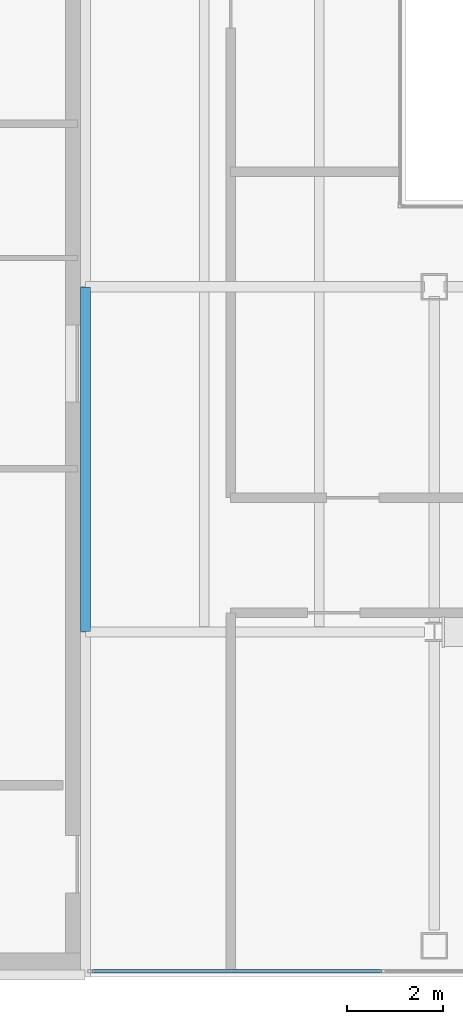
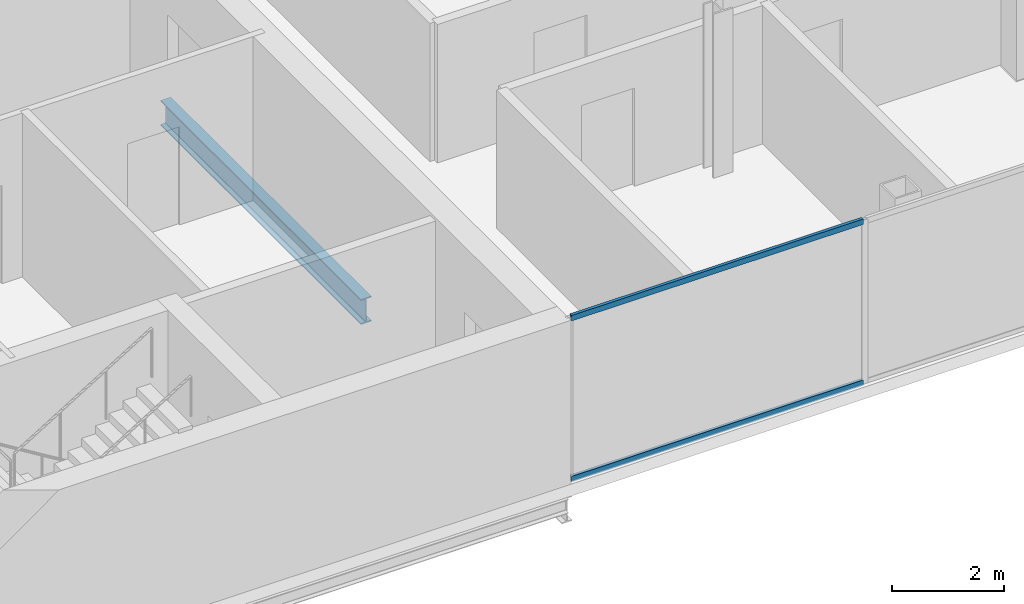
# One storey, part 3 of 16: 2 members, 1 beam, 1 element without a shape of its own.
"""IFC4 building model written with IfcOpenShell, lengths in metres."""

from ifc_helpers import new_model, si_unit, direction, frame, origin, origin_2d, place, context, subcontext, project, spatial, hollow_rectangle, i_section, extrude, material, material_profile, profile_set, type_object, element, aggregate, save


model = new_model("IFC4")

# Units and contexts
model_context = context("Model", 3, precision=1e-05, world=origin(), true_north=direction((0.0, 1.0)))
body_context = subcontext(model_context, "Body", "Model", "MODEL_VIEW")
ifc_project = project(units=[si_unit("LENGTHUNIT", "METRE"), si_unit("AREAUNIT", "SQUARE_METRE"), si_unit("VOLUMEUNIT", "CUBIC_METRE"), si_unit("PLANEANGLEUNIT", "RADIAN"), si_unit("MASSUNIT", "GRAM", prefix="KILO")], contexts=[model_context])

# Site, building, storey
site_placement = place(None, origin())
site = spatial("IfcSite", under=ifc_project, at=site_placement, CompositionType="ELEMENT")
building_placement = place(site_placement, origin())
building = spatial("IfcBuilding", under=site, at=building_placement, Name="Cobrela Telecom Tower", CompositionType="ELEMENT")
storey_placement = place(building_placement, frame((0.0, 0.0, 293.64990234375)))
storey = spatial("IfcBuildingStorey", under=building, at=storey_placement, Name="L77", CompositionType="ELEMENT", Elevation=293.64990234375)

# Beam
ifc_material_1 = material(Name="Steel ASTM A992 Grade 50", Category="steel")
ifc_material_profile_1 = material_profile(ifc_material_1, i_section(OverallWidth=0.212890625, OverallDepth=0.549072265625, WebThickness=0.0146484375, FlangeThickness=0.023681640625, FilletRadius=0.013916015625, at=origin_2d()), Name="W21X93")
ifc_profile_set_1 = profile_set([ifc_material_profile_1], Name="Steel ASTM A992 Grade 50")
beam_type = type_object("IfcBeamType", Name="BM-GIRD-08", PredefinedType="USERDEFINED", material=ifc_profile_set_1)
beam_placement = place(storey_placement, frame((14.320068359375, 14.405029296875, -0.534423828125), z_axis=(0.0, 1.0, 0.0), x_axis=(-1.0, 0.0, 0.0)))
element("IfcBeam", 1, at=beam_placement, inside=storey, type_object=beam_type, Name="L77 Primary Girder Y12", ObjectType="GIRDER", PredefinedType="USERDEFINED", context=body_context, shape_type="SweptSolid", body=[
    extrude(i_section(OverallWidth=0.212890625, OverallDepth=0.549072265625, WebThickness=0.0146484375, FlangeThickness=0.023681640625, FilletRadius=0.013916015625, at=origin_2d()), origin(), (0.0, 0.0, 1.0), 7.18994140625),
])

# Curtain wall, members
ifc_material_2 = material(Name="Anodized Bronze Aluminium 6063-T6", Category="aluminium")
curtain_wall_type = type_object("IfcCurtainWallType", Name="CW-SYS-DRUM", PredefinedType="USERDEFINED", material=ifc_material_2)
curtain_wall_placement = place(storey_placement, origin())
curtain_wall = element("IfcCurtainWall", 2, at=curtain_wall_placement, inside=storey, type_object=curtain_wall_type, Name="L77 Unitised Bronze Curtain Wall 11", ObjectType="UNITISED CURTAIN WALL", PredefinedType="USERDEFINED")
ifc_material_profile_2 = material_profile(ifc_material_2, hollow_rectangle(XDim=0.06494140625, YDim=0.1201171875, WallThickness=0.00390625, at=origin_2d()), Name="ALU 65x120x4")
ifc_profile_set_2 = profile_set([ifc_material_profile_2], Name="Anodized Bronze Aluminium 6063-T6")
member_type = type_object("IfcMemberType", Name="CW-SYS-DRUM-TRN", PredefinedType="USERDEFINED", material=ifc_profile_set_2)
member_1_placement = place(storey_placement, frame((20.507568359375, 7.320068359375, 0.03271484375), z_axis=(-1.0, 0.0, 0.0), x_axis=(0.0, -1.0, 0.0)))
member_1 = element("IfcMember", 3, at=member_1_placement, type_object=member_type, Name="CW-DRUM transom 2.1", ObjectType="TRANSOM", PredefinedType="USERDEFINED", context=body_context, shape_type="SweptSolid", body=[
    extrude(hollow_rectangle(XDim=0.06494140625, YDim=0.1201171875, WallThickness=0.00390625, at=origin_2d()), origin(), (0.0, 0.0, 1.0), 6.04248046875),
])
member_2_placement = place(storey_placement, frame((20.507568359375, 7.320068359375, 3.5576171875), z_axis=(-1.0, 0.0, 0.0), x_axis=(0.0, -1.0, 0.0)))
member_2 = element("IfcMember", 4, at=member_2_placement, type_object=member_type, Name="CW-DRUM transom 2.2", ObjectType="TRANSOM", PredefinedType="USERDEFINED", context=body_context, shape_type="SweptSolid", body=[
    extrude(hollow_rectangle(XDim=0.06494140625, YDim=0.1201171875, WallThickness=0.00390625, at=origin_2d()), origin(), (0.0, 0.0, 1.0), 6.04248046875),
])
aggregate(curtain_wall, [member_1, member_2])

save(model, "model.ifc")
